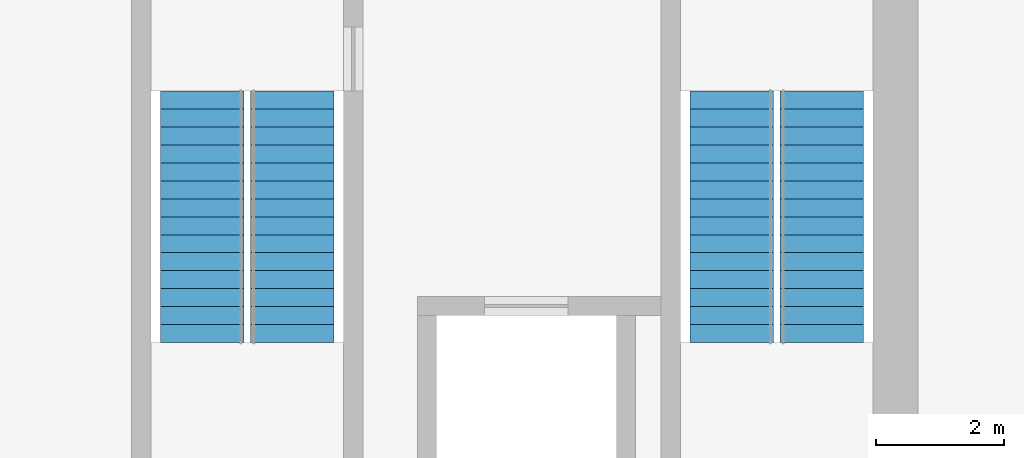
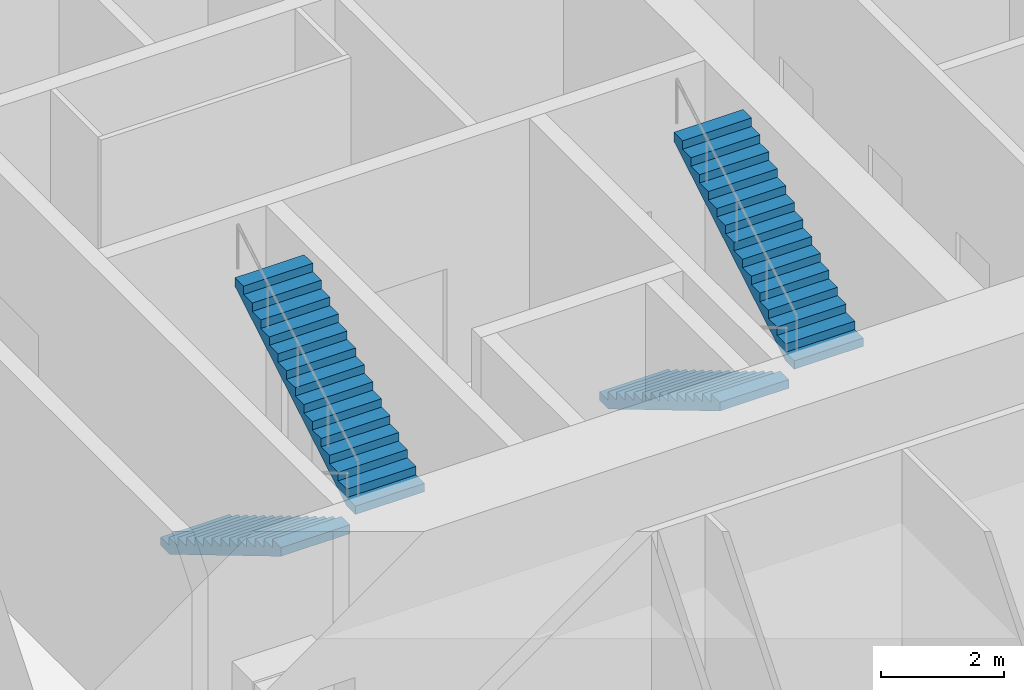
# One storey, part 17 of 18: 4 stair flights, 2 elements without a shape of their own.
"""IFC4 building model written with IfcOpenShell, lengths in metres."""

import ifcopenshell
import ifcopenshell.guid

model = None  # the IFC model being written
_history = None  # IfcOwnerHistory: only IFC2X3 demands one
_inside = {}  # id of a spatial element -> (the spatial element, [elements in it])
_under = {}  # id of a project, library or spatial element -> (it, [spatial elements below it])
_declared = {}  # id of a project -> (the project, [libraries it declares])
_typed = {}  # id of a type object -> (the type object, [elements of that type])
_made_of = {}  # id of a material, layer set ... -> (it, [elements and type objects made of it])


def new_model(schema):
    """Start an empty IFC model of exactly this schema.

    Asked for "IFC4X3", IfcOpenShell would pick the latest addendum, in which some entities
    have other attributes; the version numbers below select the first issue.
    IFC2X3 requires an IfcOwnerHistory on every rooted entity: one is made here for all.
    """
    global model, _history
    if schema == "IFC4X3":
        model = ifcopenshell.file(schema_version=(4, 3, 0, 0))
    else:
        model = ifcopenshell.file(schema=schema)
    _inside.clear()
    _under.clear()
    _declared.clear()
    _typed.clear()
    _made_of.clear()
    _history = None
    if model.schema == "IFC2X3":
        org = make("IfcOrganization", Name="unknown")
        user = make(
            "IfcPersonAndOrganization",
            ThePerson=make("IfcPerson", FamilyName="unknown"),
            TheOrganization=org,
        )
        app = make(
            "IfcApplication",
            ApplicationDeveloper=org,
            Version="unknown",
            ApplicationFullName="unknown",
            ApplicationIdentifier="unknown",
        )
        _history = make(
            "IfcOwnerHistory",
            OwningUser=user,
            OwningApplication=app,
            ChangeAction="ADDED",
            CreationDate=0,
        )
    return model


def make(cls, **values):
    """One entity of the class cls with the attributes given. An attribute that is None is left unset."""
    return model.create_entity(
        cls, **{name: value for name, value in values.items() if value is not None}
    )


def rooted(cls, **values):
    """An entity with a GlobalId (a new one), such as an element, a storey or a relation."""
    return make(cls, GlobalId=ifcopenshell.guid.new(), OwnerHistory=_history, **values)


def si_unit(unit_type, name, prefix=None):
    """IfcSIUnit, for example si_unit("LENGTHUNIT", "METRE", prefix="MILLI")."""
    return make("IfcSIUnit", UnitType=unit_type, Prefix=prefix, Name=name)


def assignment(units):
    """IfcUnitAssignment: the units of a project."""
    return None if units is None else make("IfcUnitAssignment", Units=units)


def point(xyz):
    """IfcCartesianPoint."""
    return None if xyz is None else make("IfcCartesianPoint", Coordinates=xyz)


def direction(xyz):
    """IfcDirection."""
    return None if xyz is None else make("IfcDirection", DirectionRatios=xyz)


def frame(location, z_axis=None, x_axis=None):
    """IfcAxis2Placement3D, a coordinate frame: its origin and axes. An axis left out is left unset."""
    return make(
        "IfcAxis2Placement3D",
        Location=point(location),
        Axis=direction(z_axis),
        RefDirection=direction(x_axis),
    )


def origin():
    """The frame at (0, 0, 0) with its axes left unset."""
    return frame((0.0, 0.0, 0.0))


def place(relative_to, where):
    """IfcLocalPlacement: puts the frame where relative to a parent placement (None: the world)."""
    return make(
        "IfcLocalPlacement", PlacementRelTo=relative_to, RelativePlacement=where
    )


def context(
    kind, dimensions, precision=None, world=None, true_north=None, identifier=None
):
    """IfcGeometricRepresentationContext, for example the 3D "Model" context."""
    return make(
        "IfcGeometricRepresentationContext",
        ContextIdentifier=identifier,
        ContextType=kind,
        CoordinateSpaceDimension=dimensions,
        Precision=precision,
        WorldCoordinateSystem=world,
        TrueNorth=true_north,
    )


def subcontext(parent, identifier, kind, view, scale=None):
    """IfcGeometricRepresentationSubContext, for example "Body" below "Model"."""
    return make(
        "IfcGeometricRepresentationSubContext",
        ContextIdentifier=identifier,
        ContextType=kind,
        ParentContext=parent,
        TargetScale=scale,
        TargetView=view,
    )


def project(units=None, contexts=None):
    """IfcProject with its units and contexts."""
    return rooted(
        "IfcProject",
        Name="project",
        RepresentationContexts=contexts,
        UnitsInContext=assignment(units),
    )


def spatial(cls, under=None, at=None, **own):
    """A site, building, storey or space (cls), placed at a placement, below another one or the project."""
    s = rooted(cls, ObjectPlacement=at, **own)
    if under is not None:
        _under.setdefault(under.id(), (under, []))[1].append(s)
    return s


def polyline(points):
    """IfcPolyline through the points."""
    return make("IfcPolyline", Points=[point(p) for p in points])


def outline(outer, holes=None, kind="AREA"):
    """IfcArbitraryClosedProfileDef: a profile drawn as a closed curve; with holes, ...WithVoids."""
    if holes is None:
        return make("IfcArbitraryClosedProfileDef", ProfileType=kind, OuterCurve=outer)
    return make(
        "IfcArbitraryProfileDefWithVoids",
        ProfileType=kind,
        OuterCurve=outer,
        InnerCurves=holes,
    )


def extrude(swept, where, along, depth):
    """IfcExtrudedAreaSolid: the profile swept, set in the frame where, extruded along a direction by depth."""
    return make(
        "IfcExtrudedAreaSolid",
        SweptArea=swept,
        Position=where,
        ExtrudedDirection=direction(along),
        Depth=depth,
    )


def shape(context_of_items, identifier, shape_type, items):
    """IfcShapeRepresentation: the items that make up one representation, for example the "Body"."""
    return make(
        "IfcShapeRepresentation",
        ContextOfItems=context_of_items,
        RepresentationIdentifier=identifier,
        RepresentationType=shape_type,
        Items=items,
    )


def material(Name=None, Category=None):
    """IfcMaterial."""
    return make("IfcMaterial", Name=Name, Category=Category)


def made_of(thing, what):
    """Note that an element or type object is made of a material, layer set ...; save() writes the relation."""
    if what is not None:
        _made_of.setdefault(what.id(), (what, []))[1].append(thing)
    return thing


def type_object(cls, material=None, **own):
    """A type object (cls), such as IfcWallType, which elements share."""
    return made_of(rooted(cls, **own), material)


def element(
    cls,
    number,
    at=None,
    inside=None,
    cuts=None,
    type_object=None,
    material=None,
    context=None,
    identifier="Body",
    shape_type=None,
    held_by="IfcProductDefinitionShape",
    body=None,
    shapes=None,
    **own,
):
    """One element of the class cls, such as IfcWall. Its Tag is "e" and its number.

    at: its placement. inside: the storey or other place that contains it. cuts: it is an
    opening in that element (IfcRelVoidsElement). A single representation is given by context,
    identifier, shape_type and body (its items); several are given by shapes. held_by: the class
    of the entity that holds the representations. save() writes the other relations.
    """
    e = rooted(cls, Tag="e%d" % number, ObjectPlacement=at, **own)
    if body is not None:
        shapes = [shape(context, identifier, shape_type, body)]
    if shapes is not None:
        e.Representation = make(held_by, Representations=shapes)
    if inside is not None:
        _inside.setdefault(inside.id(), (inside, []))[1].append(e)
    if cuts is not None:
        rooted(
            "IfcRelVoidsElement", RelatingBuildingElement=cuts, RelatedOpeningElement=e
        )
    if type_object is not None:
        _typed.setdefault(type_object.id(), (type_object, []))[1].append(e)
    return made_of(e, material)


def aggregate(whole, parts):
    """IfcRelAggregates: a whole, such as a stair, and the parts it consists of."""
    return rooted("IfcRelAggregates", RelatingObject=whole, RelatedObjects=parts)


def save(model, path):
    """Write the relations noted so far, then the file.

    IfcRelAggregates (storeys below a building ...), IfcRelContainedInSpatialStructure (elements
    in a storey), IfcRelDefinesByType, IfcRelAssociatesMaterial and IfcRelDeclares: one each for
    every whole, place, type object, material and project.
    """
    for whole, parts in _under.values():
        aggregate(whole, parts)
    for where, things in _inside.values():
        rooted(
            "IfcRelContainedInSpatialStructure",
            RelatedElements=things,
            RelatingStructure=where,
        )
    for kind, things in _typed.values():
        rooted("IfcRelDefinesByType", RelatedObjects=things, RelatingType=kind)
    for what, things in _made_of.values():
        rooted("IfcRelAssociatesMaterial", RelatedObjects=things, RelatingMaterial=what)
    for by, libraries in _declared.values():
        rooted("IfcRelDeclares", RelatingContext=by, RelatedDefinitions=libraries)
    model.write(path)


model = new_model("IFC4")

# Units and contexts
model_context = context("Model", 3, precision=1e-05, world=origin(), true_north=direction((0.0, 1.0)))
body_context = subcontext(model_context, "Body", "Model", "MODEL_VIEW")
ifc_project = project(units=[si_unit("LENGTHUNIT", "METRE"), si_unit("AREAUNIT", "SQUARE_METRE"), si_unit("VOLUMEUNIT", "CUBIC_METRE"), si_unit("PLANEANGLEUNIT", "RADIAN"), si_unit("MASSUNIT", "GRAM", prefix="KILO")], contexts=[model_context])

# Site, building, storey
site_placement = place(None, origin())
site = spatial("IfcSite", under=ifc_project, at=site_placement, CompositionType="ELEMENT")
building_placement = place(site_placement, origin())
building = spatial("IfcBuilding", under=site, at=building_placement, Name="Rimbunsela Tower", CompositionType="ELEMENT")
storey_placement = place(building_placement, frame((0.0, 0.0, 6.0)))
storey = spatial("IfcBuildingStorey", under=building, at=storey_placement, Name="L01", CompositionType="ELEMENT", Elevation=6.0)

# Stair, stair flights
ifc_material_1 = material(Name="Concrete fc' 35 MPa", Category="concrete")
stair_type = type_object("IfcStairType", Name="Exit stair 30 risers", PredefinedType="HALF_TURN_STAIR", material=ifc_material_1)
stair_1_placement = place(storey_placement, origin())
stair_1 = element("IfcStair", 1, at=stair_1_placement, inside=storey, type_object=stair_type, Name="Exit stair A L01", PredefinedType="HALF_TURN_STAIR")
ifc_material_2 = material(Name="Concrete fc' 35 MPa", Category="concrete")
stair_flight_type = type_object("IfcStairFlightType", Name="Stair flight 15 risers 167", PredefinedType="STRAIGHT", material=ifc_material_2)
stair_flight_1_placement = place(storey_placement, frame((24.949951171875, 24.89990234375, 0.0), z_axis=(0.0, 0.0, 1.0), x_axis=(0.0, -1.0, 0.0)))
stair_flight_1 = element("IfcStairFlight", 2, at=stair_flight_1_placement, type_object=stair_flight_type, Name="ST-A flight 1", NumberOfRisers=15, NumberOfTreads=14, PredefinedType="STRAIGHT", RiserHeight=0.166666667, TreadLength=0.28, context=body_context, shape_type="SweptSolid", body=[
    extrude(outline(polyline([(0.0, 0.0), (0.0, 0.166748046875), (0.280029296875, 0.166748046875), (0.280029296875, 0.333251953125), (0.56005859375, 0.333251953125), (0.56005859375, 0.5), (0.840087890625, 0.5), (0.840087890625, 0.666748046875), (1.1201171875, 0.666748046875), (1.1201171875, 0.833251953125), (1.39990234375, 0.833251953125), (1.39990234375, 1.0), (1.679931640625, 1.0), (1.679931640625, 1.166748046875), (1.9599609375, 1.166748046875), (1.9599609375, 1.333251953125), (2.239990234375, 1.333251953125), (2.239990234375, 1.5), (2.52001953125, 1.5), (2.52001953125, 1.666748046875), (2.800048828125, 1.666748046875), (2.800048828125, 1.833251953125), (3.080078125, 1.833251953125), (3.080078125, 2.0), (3.360107421875, 2.0), (3.360107421875, 2.166748046875), (3.639892578125, 2.166748046875), (3.639892578125, 2.333251953125), (3.919921875, 2.333251953125), (3.919921875, 2.5), (3.919921875, 2.158935546875), (0.29296875, 0.0), (0.0, 0.0)])), frame((0.0, 0.64990234375, 0.0), z_axis=(0.0, -1.0, 0.0), x_axis=(1.0, 0.0, 0.0)), (0.0, 0.0, 1.0), 1.300048828125),
])
stair_flight_2_placement = place(storey_placement, frame((26.35009765625, 20.97998046875, 2.5), z_axis=(0.0, 0.0, 1.0), x_axis=(0.0, 1.0, 0.0)))
stair_flight_2 = element("IfcStairFlight", 3, at=stair_flight_2_placement, type_object=stair_flight_type, Name="ST-A flight 2", NumberOfRisers=15, NumberOfTreads=14, PredefinedType="STRAIGHT", RiserHeight=0.166666667, TreadLength=0.28, context=body_context, shape_type="SweptSolid", body=[
    extrude(outline(polyline([(0.0, 0.0), (0.0, 0.166748046875), (0.280029296875, 0.166748046875), (0.280029296875, 0.333251953125), (0.56005859375, 0.333251953125), (0.56005859375, 0.5), (0.840087890625, 0.5), (0.840087890625, 0.666748046875), (1.1201171875, 0.666748046875), (1.1201171875, 0.833251953125), (1.39990234375, 0.833251953125), (1.39990234375, 1.0), (1.679931640625, 1.0), (1.679931640625, 1.166748046875), (1.9599609375, 1.166748046875), (1.9599609375, 1.333251953125), (2.239990234375, 1.333251953125), (2.239990234375, 1.5), (2.52001953125, 1.5), (2.52001953125, 1.666748046875), (2.800048828125, 1.666748046875), (2.800048828125, 1.833251953125), (3.080078125, 1.833251953125), (3.080078125, 2.0), (3.360107421875, 2.0), (3.360107421875, 2.166748046875), (3.639892578125, 2.166748046875), (3.639892578125, 2.333251953125), (3.919921875, 2.333251953125), (3.919921875, 2.5), (3.919921875, 2.158935546875), (0.29296875, 0.0), (0.0, 0.0)])), frame((0.0, 0.64990234375, 0.0), z_axis=(0.0, -1.0, 0.0), x_axis=(1.0, 0.0, 0.0)), (0.0, 0.0, 1.0), 1.300048828125),
])
aggregate(stair_1, [stair_flight_1, stair_flight_2])

stair_2_placement = place(storey_placement, origin())
stair_2 = element("IfcStair", 4, at=stair_2_placement, inside=storey, type_object=stair_type, Name="Exit stair B L01", PredefinedType="HALF_TURN_STAIR")
stair_flight_3_placement = place(storey_placement, frame((33.199951171875, 24.89990234375, 0.0), z_axis=(0.0, 0.0, 1.0), x_axis=(0.0, -1.0, 0.0)))
stair_flight_3 = element("IfcStairFlight", 5, at=stair_flight_3_placement, type_object=stair_flight_type, Name="ST-B flight 1", NumberOfRisers=15, NumberOfTreads=14, PredefinedType="STRAIGHT", RiserHeight=0.166666667, TreadLength=0.28, context=body_context, shape_type="SweptSolid", body=[
    extrude(outline(polyline([(0.0, 0.0), (0.0, 0.166748046875), (0.280029296875, 0.166748046875), (0.280029296875, 0.333251953125), (0.56005859375, 0.333251953125), (0.56005859375, 0.5), (0.840087890625, 0.5), (0.840087890625, 0.666748046875), (1.1201171875, 0.666748046875), (1.1201171875, 0.833251953125), (1.39990234375, 0.833251953125), (1.39990234375, 1.0), (1.679931640625, 1.0), (1.679931640625, 1.166748046875), (1.9599609375, 1.166748046875), (1.9599609375, 1.333251953125), (2.239990234375, 1.333251953125), (2.239990234375, 1.5), (2.52001953125, 1.5), (2.52001953125, 1.666748046875), (2.800048828125, 1.666748046875), (2.800048828125, 1.833251953125), (3.080078125, 1.833251953125), (3.080078125, 2.0), (3.360107421875, 2.0), (3.360107421875, 2.166748046875), (3.639892578125, 2.166748046875), (3.639892578125, 2.333251953125), (3.919921875, 2.333251953125), (3.919921875, 2.5), (3.919921875, 2.158935546875), (0.29296875, 0.0), (0.0, 0.0)])), frame((0.0, 0.64990234375, 0.0), z_axis=(0.0, -1.0, 0.0), x_axis=(1.0, 0.0, 0.0)), (0.0, 0.0, 1.0), 1.300048828125),
])
stair_flight_4_placement = place(storey_placement, frame((34.60009765625, 20.97998046875, 2.5), z_axis=(0.0, 0.0, 1.0), x_axis=(0.0, 1.0, 0.0)))
stair_flight_4 = element("IfcStairFlight", 6, at=stair_flight_4_placement, type_object=stair_flight_type, Name="ST-B flight 2", NumberOfRisers=15, NumberOfTreads=14, PredefinedType="STRAIGHT", RiserHeight=0.166666667, TreadLength=0.28, context=body_context, shape_type="SweptSolid", body=[
    extrude(outline(polyline([(0.0, 0.0), (0.0, 0.166748046875), (0.280029296875, 0.166748046875), (0.280029296875, 0.333251953125), (0.56005859375, 0.333251953125), (0.56005859375, 0.5), (0.840087890625, 0.5), (0.840087890625, 0.666748046875), (1.1201171875, 0.666748046875), (1.1201171875, 0.833251953125), (1.39990234375, 0.833251953125), (1.39990234375, 1.0), (1.679931640625, 1.0), (1.679931640625, 1.166748046875), (1.9599609375, 1.166748046875), (1.9599609375, 1.333251953125), (2.239990234375, 1.333251953125), (2.239990234375, 1.5), (2.52001953125, 1.5), (2.52001953125, 1.666748046875), (2.800048828125, 1.666748046875), (2.800048828125, 1.833251953125), (3.080078125, 1.833251953125), (3.080078125, 2.0), (3.360107421875, 2.0), (3.360107421875, 2.166748046875), (3.639892578125, 2.166748046875), (3.639892578125, 2.333251953125), (3.919921875, 2.333251953125), (3.919921875, 2.5), (3.919921875, 2.158935546875), (0.29296875, 0.0), (0.0, 0.0)])), frame((0.0, 0.64990234375, 0.0), z_axis=(0.0, -1.0, 0.0), x_axis=(1.0, 0.0, 0.0)), (0.0, 0.0, 1.0), 1.300048828125),
])
aggregate(stair_2, [stair_flight_3, stair_flight_4])

save(model, "model.ifc")
